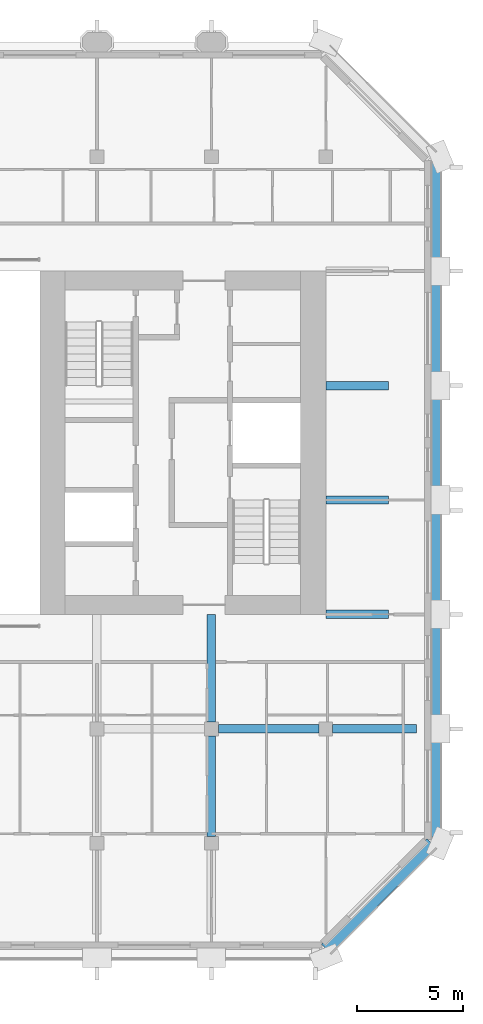
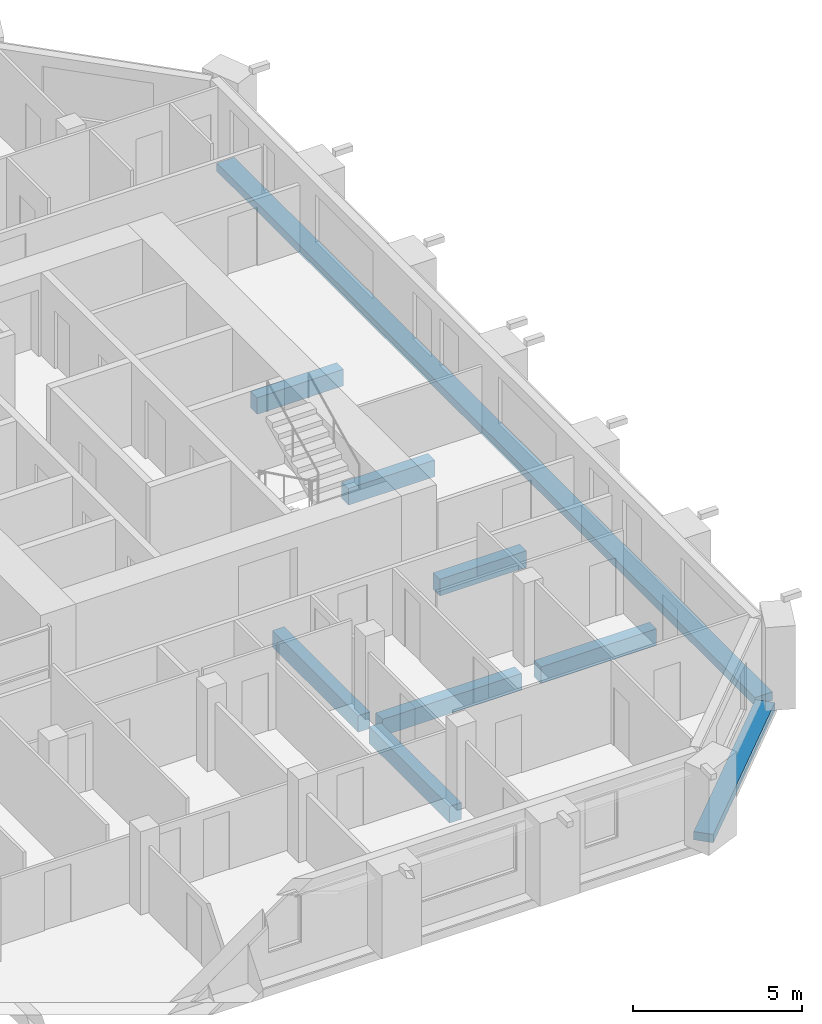
# One storey, part 3 of 14: 9 beams.
"""IFC4 building model written with IfcOpenShell, lengths in metres."""

from ifc_helpers import new_model, si_unit, direction, frame, origin, origin_2d, place, context, subcontext, project, spatial, rectangle, extrude, material, material_profile, profile_set, type_object, element, save


model = new_model("IFC4")

# Units and contexts
model_context = context("Model", 3, precision=1e-05, world=origin(), true_north=direction((0.0, 1.0)))
body_context = subcontext(model_context, "Body", "Model", "MODEL_VIEW")
ifc_project = project(units=[si_unit("LENGTHUNIT", "METRE"), si_unit("AREAUNIT", "SQUARE_METRE"), si_unit("VOLUMEUNIT", "CUBIC_METRE"), si_unit("PLANEANGLEUNIT", "RADIAN"), si_unit("MASSUNIT", "GRAM", prefix="KILO")], contexts=[model_context])

# Site, building, storey
site_placement = place(None, origin())
site = spatial("IfcSite", under=ifc_project, at=site_placement, CompositionType="ELEMENT")
building_placement = place(site_placement, origin())
building = spatial("IfcBuilding", under=site, at=building_placement, Name="Tabaq Tower and Sports Hall", CompositionType="ELEMENT")
storey_placement = place(building_placement, frame((0.0, 0.0, 285.10009765625)))
storey = spatial("IfcBuildingStorey", under=building, at=storey_placement, Name="L70", CompositionType="ELEMENT", Elevation=285.10009765625)

# Beams
ifc_material_1 = material(Name="Concrete C40/50", Category="concrete")
ifc_material_profile_1 = material_profile(ifc_material_1, rectangle(XDim=0.39990234375, YDim=0.60009765625, at=origin_2d()), Name="CB 400x600")
ifc_profile_set_1 = profile_set([ifc_material_profile_1], Name="Concrete C40/50")
beam_type_1 = type_object("IfcBeamType", Name="PT CANTILEVER BEAM CB 400x600 C40/50", PredefinedType="BEAM", material=ifc_profile_set_1)
beam_1_placement = place(storey_placement, frame((47.47509765625, 10.800048828125, -0.60009765625), z_axis=(-1.0, 0.0, 0.0), x_axis=(0.0, -1.0, 0.0)))
element("IfcBeam", 1, at=beam_1_placement, inside=storey, type_object=beam_type_1, Name="Cantilever Beam L70 E2 span 1", PredefinedType="BEAM", context=body_context, shape_type="SweptSolid", body=[
    extrude(rectangle(XDim=0.39990234375, YDim=0.60009765625, at=origin_2d()), origin(), (0.0, 0.0, 1.0), 3.9501953125),
])
beam_2_placement = place(storey_placement, frame((42.875, 10.800048828125, -0.60009765625), z_axis=(-1.0, 0.0, 0.0), x_axis=(0.0, -1.0, 0.0)))
element("IfcBeam", 2, at=beam_2_placement, inside=storey, type_object=beam_type_1, Name="Cantilever Beam L70 E2 span 2", PredefinedType="BEAM", context=body_context, shape_type="SweptSolid", body=[
    extrude(rectangle(XDim=0.39990234375, YDim=0.60009765625, at=origin_2d()), origin(), (0.0, 0.0, 1.0), 4.75),
])
for number, where, z_axis, x_axis, name in (
    (3, (46.14990234375, 16.199951171875, -0.60009765625), (-1.0, 0.0, 0.0), (0.0, -1.0, 0.0), "Cantilever Beam L70 E3 span 1"),
    (4, (46.14990234375, 21.60009765625, -0.60009765625), (-1.0, 0.0, 0.0), (0.0, -1.0, 0.0), "Cantilever Beam L70 E4 span 1"),
    (5, (46.14990234375, 27.0, -0.60009765625), (-1.0, 0.0, 0.0), (0.0, -1.0, 0.0), "Cantilever Beam L70 E5 span 1"),
):
    element("IfcBeam", number, at=place(storey_placement, frame(where, z_axis=z_axis, x_axis=x_axis)), inside=storey, type_object=beam_type_1, Name=name, PredefinedType="BEAM", context=body_context, shape_type="SweptSolid", body=[
        extrude(rectangle(XDim=0.39990234375, YDim=0.60009765625, at=origin_2d()), origin(), (0.0, 0.0, 1.0), 2.949951171875),
    ])
beam_3_placement = place(storey_placement, frame((37.800048828125, 5.72509765625, -0.60009765625), z_axis=(0.0, 1.0, 0.0), x_axis=(-1.0, 0.0, 0.0)))
element("IfcBeam", 6, at=beam_3_placement, inside=storey, type_object=beam_type_1, Name="Cantilever Beam L70 S7 span 2", PredefinedType="BEAM", context=body_context, shape_type="SweptSolid", body=[
    extrude(rectangle(XDim=0.39990234375, YDim=0.60009765625, at=origin_2d()), origin(), (0.0, 0.0, 1.0), 4.75),
])
beam_4_placement = place(storey_placement, frame((37.800048828125, 11.125, -0.60009765625), z_axis=(0.0, 1.0, 0.0), x_axis=(-1.0, 0.0, 0.0)))
element("IfcBeam", 7, at=beam_4_placement, inside=storey, type_object=beam_type_1, Name="Cantilever Beam L70 S7 span 3", PredefinedType="BEAM", context=body_context, shape_type="SweptSolid", body=[
    extrude(rectangle(XDim=0.39990234375, YDim=0.60009765625, at=origin_2d()), origin(), (0.0, 0.0, 1.0), 5.074951171875),
])
ifc_material_2 = material(Name="Concrete C40/50", Category="concrete")
ifc_material_profile_2 = material_profile(ifc_material_2, rectangle(XDim=0.60009765625, YDim=0.300048828125, at=origin_2d()), Name="EB 600x300")
ifc_profile_set_2 = profile_set([ifc_material_profile_2], Name="Concrete C40/50")
beam_type_2 = type_object("IfcBeamType", Name="PT EDGE BEAM EB 600x300 C40/50", PredefinedType="SPANDREL", material=ifc_profile_set_2)
beam_5_placement = place(storey_placement, frame((43.198974609375, 0.42333984375, -0.150146484375), z_axis=(0.707106781187, 0.707106781187, 0.0), x_axis=(-0.707106781187, 0.707106781187, 0.0)))
element("IfcBeam", 8, at=beam_5_placement, inside=storey, type_object=beam_type_2, Name="Edge Beam L70 2", PredefinedType="SPANDREL", context=body_context, shape_type="SweptSolid", body=[
    extrude(rectangle(XDim=0.60009765625, YDim=0.300048828125, at=origin_2d()), origin(), (0.0, 0.0, 1.0), 7.03955078125),
])
beam_6_placement = place(storey_placement, frame((48.300048828125, 5.698486328125, -0.150146484375), z_axis=(0.0, 1.0, 0.0), x_axis=(-1.0, 0.0, 0.0)))
element("IfcBeam", 9, at=beam_6_placement, inside=storey, type_object=beam_type_2, Name="Edge Beam L70 3", PredefinedType="SPANDREL", context=body_context, shape_type="SweptSolid", body=[
    extrude(rectangle(XDim=0.60009765625, YDim=0.300048828125, at=origin_2d()), origin(), (0.0, 0.0, 1.0), 31.802978515625),
])

save(model, "model.ifc")
